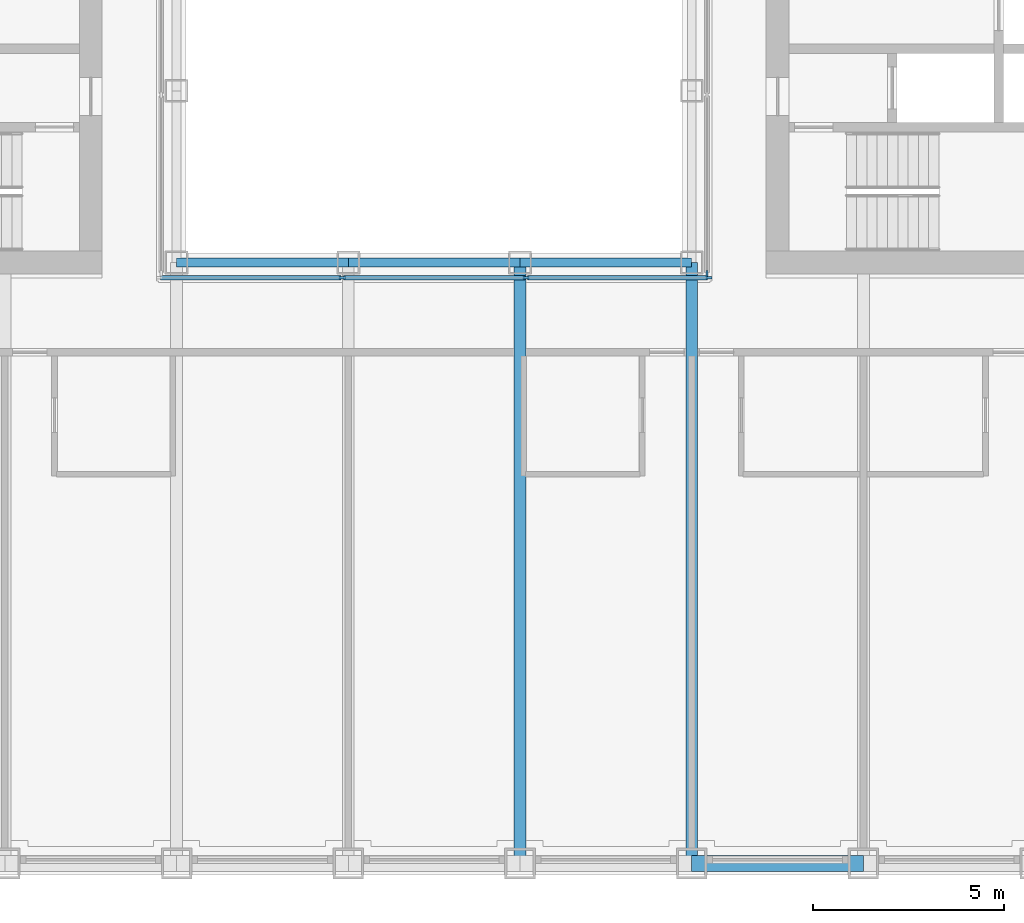
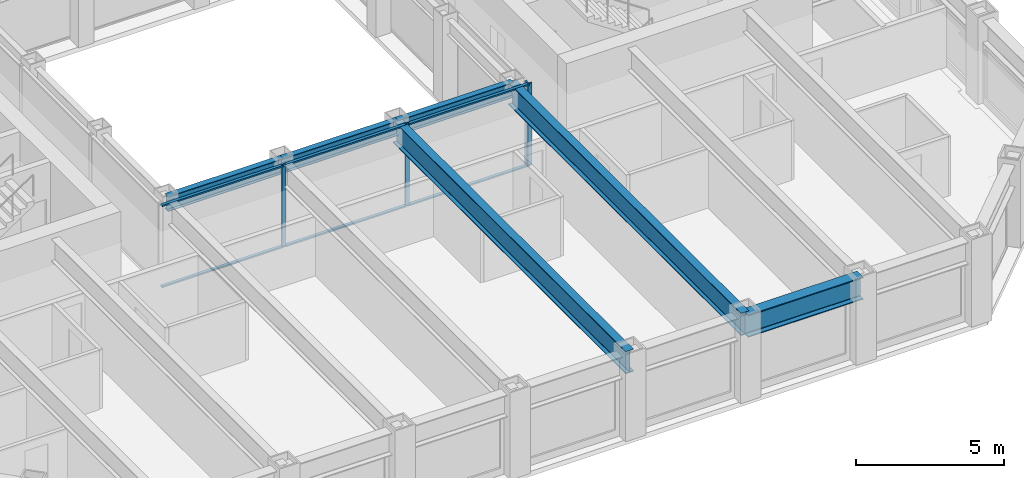
# One storey, part 3 of 17: 10 members, 6 beams, 2 elements without a shape of their own.
"""IFC4 building model written with IfcOpenShell, lengths in metres."""

from ifc_helpers import new_model, si_unit, direction, frame, origin, origin_2d, place, context, subcontext, project, spatial, rectangle, i_section, extrude, material, material_profile, profile_set, type_object, element, aggregate, save


model = new_model("IFC4")

# Units and contexts
model_context = context("Model", 3, precision=1e-05, world=origin(), true_north=direction((0.0, 1.0)))
body_context = subcontext(model_context, "Body", "Model", "MODEL_VIEW")
ifc_project = project(units=[si_unit("LENGTHUNIT", "METRE"), si_unit("AREAUNIT", "SQUARE_METRE"), si_unit("VOLUMEUNIT", "CUBIC_METRE"), si_unit("PLANEANGLEUNIT", "RADIAN"), si_unit("MASSUNIT", "GRAM", prefix="KILO")], contexts=[model_context])

# Site, building, storey
site_placement = place(None, origin())
site = spatial("IfcSite", under=ifc_project, at=site_placement, CompositionType="ELEMENT")
building_placement = place(site_placement, origin())
building = spatial("IfcBuilding", under=site, at=building_placement, Name="Msasa Ring Tower", CompositionType="ELEMENT")
storey_placement = place(building_placement, frame((0.0, 0.0, 129.199951171875)))
storey = spatial("IfcBuildingStorey", under=building, at=storey_placement, Name="L33", CompositionType="ELEMENT", Elevation=129.199951171875)

# Curtain wall, members
ifc_material_1 = material(Name="Aluminium curtain wall with clear glass", Category="aluminium")
curtain_wall_type = type_object("IfcCurtainWallType", Name="CW-W LIGHT WELL CURTAIN WALL", PredefinedType="NOTDEFINED", material=ifc_material_1)
curtain_wall_1_placement = place(storey_placement, origin())
curtain_wall_1 = element("IfcCurtainWall", 1, at=curtain_wall_1_placement, inside=storey, type_object=curtain_wall_type, Name="Light well curtain wall S L33", PredefinedType="NOTDEFINED")
ifc_material_2 = material(Name="Aluminium mullion", Category="aluminium")
ifc_material_profile_1 = material_profile(ifc_material_2, rectangle(XDim=0.06005859375, YDim=0.159912109375, at=origin_2d()), Name="AL 60x160")
ifc_profile_set_1 = profile_set([ifc_material_profile_1], Name="Aluminium mullion")
member_type_1 = type_object("IfcMemberType", Name="CW-W MULLION 60x160", PredefinedType="MULLION", material=ifc_profile_set_1)
member_1_placement = place(storey_placement, frame((-2.409912109375, -7.14990234375, 0.0), z_axis=(0.0, 0.0, 1.0), x_axis=(0.0, 1.0, 0.0)))
member_1 = element("IfcMember", 2, at=member_1_placement, type_object=member_type_1, Name="CW-W mullion 2", PredefinedType="MULLION", context=body_context, shape_type="SweptSolid", body=[
    extrude(rectangle(XDim=0.06005859375, YDim=0.159912109375, at=origin_2d()), origin(), (0.0, 0.0, 1.0), 3.400146484375),
])
member_2_placement = place(storey_placement, frame((2.409912109375, -7.14990234375, 0.0), z_axis=(0.0, 0.0, 1.0), x_axis=(0.0, 1.0, 0.0)))
member_2 = element("IfcMember", 3, at=member_2_placement, type_object=member_type_1, Name="CW-W mullion 3", PredefinedType="MULLION", context=body_context, shape_type="SweptSolid", body=[
    extrude(rectangle(XDim=0.06005859375, YDim=0.159912109375, at=origin_2d()), origin(), (0.0, 0.0, 1.0), 3.400146484375),
])
member_3_placement = place(storey_placement, frame((7.199951171875, -7.14990234375, 0.0), z_axis=(0.0, 0.0, 1.0), x_axis=(0.0, 1.0, 0.0)))
member_3 = element("IfcMember", 4, at=member_3_placement, type_object=member_type_1, Name="CW-W mullion 4", PredefinedType="MULLION", context=body_context, shape_type="SweptSolid", body=[
    extrude(rectangle(XDim=0.06005859375, YDim=0.159912109375, at=origin_2d()), origin(), (0.0, 0.0, 1.0), 3.400146484375),
])

# Curtain wall, member
curtain_wall_2_placement = place(storey_placement, origin())
curtain_wall_2 = element("IfcCurtainWall", 5, at=curtain_wall_2_placement, inside=storey, type_object=curtain_wall_type, Name="Light well curtain wall E L33", PredefinedType="NOTDEFINED")
member_4_placement = place(storey_placement, frame((7.14990234375, -7.0400390625, 0.0), z_axis=(0.0, 0.0, 1.0), x_axis=(-1.0, 0.0, 0.0)))
member_4 = element("IfcMember", 6, at=member_4_placement, type_object=member_type_1, Name="CW-W mullion 1", PredefinedType="MULLION", context=body_context, shape_type="SweptSolid", body=[
    extrude(rectangle(XDim=0.06005859375, YDim=0.159912109375, at=origin_2d()), origin(), (0.0, 0.0, 1.0), 3.400146484375),
])
aggregate(curtain_wall_2, [member_4])

# Member
ifc_material_3 = material(Name="Aluminium transom", Category="aluminium")
ifc_material_profile_2 = material_profile(ifc_material_3, rectangle(XDim=0.1201171875, YDim=0.06005859375, at=origin_2d()), Name="AL 60x120")
ifc_profile_set_2 = profile_set([ifc_material_profile_2], Name="Aluminium transom")
member_type_2 = type_object("IfcMemberType", Name="CW-W TRANSOM 60x120", PredefinedType="USERDEFINED", material=ifc_profile_set_2)
member_5_placement = place(storey_placement, frame((-7.169921875, -7.14990234375, 0.030029296875), z_axis=(1.0, 0.0, 0.0), x_axis=(0.0, 1.0, 0.0)))
member_5 = element("IfcMember", 7, at=member_5_placement, type_object=member_type_2, Name="CW-W transom 1.1", ObjectType="TRANSOM", PredefinedType="USERDEFINED", context=body_context, shape_type="SweptSolid", body=[
    extrude(rectangle(XDim=0.1201171875, YDim=0.06005859375, at=origin_2d()), origin(), (0.0, 0.0, 1.0), 4.72998046875),
])

member_6_placement = place(storey_placement, frame((-7.169921875, -7.14990234375, 3.3701171875), z_axis=(1.0, 0.0, 0.0), x_axis=(0.0, 1.0, 0.0)))
member_6 = element("IfcMember", 8, at=member_6_placement, type_object=member_type_2, Name="CW-W transom 1.2", ObjectType="TRANSOM", PredefinedType="USERDEFINED", context=body_context, shape_type="SweptSolid", body=[
    extrude(rectangle(XDim=0.1201171875, YDim=0.06005859375, at=origin_2d()), origin(), (0.0, 0.0, 1.0), 4.72998046875),
])

member_7_placement = place(storey_placement, frame((-2.3798828125, -7.14990234375, 0.030029296875), z_axis=(1.0, 0.0, 0.0), x_axis=(0.0, 1.0, 0.0)))
member_7 = element("IfcMember", 9, at=member_7_placement, type_object=member_type_2, Name="CW-W transom 2.1", ObjectType="TRANSOM", PredefinedType="USERDEFINED", context=body_context, shape_type="SweptSolid", body=[
    extrude(rectangle(XDim=0.1201171875, YDim=0.06005859375, at=origin_2d()), origin(), (0.0, 0.0, 1.0), 4.759765625),
])

member_8_placement = place(storey_placement, frame((-2.3798828125, -7.14990234375, 3.3701171875), z_axis=(1.0, 0.0, 0.0), x_axis=(0.0, 1.0, 0.0)))
member_8 = element("IfcMember", 10, at=member_8_placement, type_object=member_type_2, Name="CW-W transom 2.2", ObjectType="TRANSOM", PredefinedType="USERDEFINED", context=body_context, shape_type="SweptSolid", body=[
    extrude(rectangle(XDim=0.1201171875, YDim=0.06005859375, at=origin_2d()), origin(), (0.0, 0.0, 1.0), 4.759765625),
])

member_9_placement = place(storey_placement, frame((2.43994140625, -7.14990234375, 0.030029296875), z_axis=(1.0, 0.0, 0.0), x_axis=(0.0, 1.0, 0.0)))
member_9 = element("IfcMember", 11, at=member_9_placement, type_object=member_type_2, Name="CW-W transom 3.1", ObjectType="TRANSOM", PredefinedType="USERDEFINED", context=body_context, shape_type="SweptSolid", body=[
    extrude(rectangle(XDim=0.1201171875, YDim=0.06005859375, at=origin_2d()), origin(), (0.0, 0.0, 1.0), 4.72998046875),
])

member_10_placement = place(storey_placement, frame((2.43994140625, -7.14990234375, 3.3701171875), z_axis=(1.0, 0.0, 0.0), x_axis=(0.0, 1.0, 0.0)))
member_10 = element("IfcMember", 12, at=member_10_placement, type_object=member_type_2, Name="CW-W transom 3.2", ObjectType="TRANSOM", PredefinedType="USERDEFINED", context=body_context, shape_type="SweptSolid", body=[
    extrude(rectangle(XDim=0.1201171875, YDim=0.06005859375, at=origin_2d()), origin(), (0.0, 0.0, 1.0), 4.72998046875),
])

aggregate(curtain_wall_1, [member_1, member_2, member_3, member_5, member_6, member_7, member_8, member_9, member_10])

# Beams
ifc_material_4 = material(Name="Steel S355", Category="steel")
ifc_material_profile_3 = material_profile(ifc_material_4, i_section(OverallWidth=0.3076171875, OverallDepth=0.926513671875, WebThickness=0.01953125, FlangeThickness=0.031982421875, FilletRadius=0.01904296875, at=origin_2d()), Name="UB 914x305x289")
ifc_profile_set_3 = profile_set([ifc_material_profile_3], Name="Steel S355")
beam_type_1 = type_object("IfcBeamType", Name="FB3 UB 914x305x289", PredefinedType="BEAM", material=ifc_profile_set_3)
for number, where, z_axis, x_axis, name in (
    (13, (2.25, -22.5, 2.936767578125), (0.0, 1.0, 0.0), (-1.0, 0.0, 0.0), "Floor beam S+2.25 under L34"),
    (14, (6.75, -22.5, 2.936767578125), (0.0, 1.0, 0.0), (-1.0, 0.0, 0.0), "Floor beam S+6.75 under L34"),
):
    element("IfcBeam", number, at=place(storey_placement, frame(where, z_axis=z_axis, x_axis=x_axis)), inside=storey, type_object=beam_type_1, Name=name, PredefinedType="BEAM", context=body_context, shape_type="SweptSolid", body=[
        extrude(i_section(OverallWidth=0.3076171875, OverallDepth=0.926513671875, WebThickness=0.01953125, FlangeThickness=0.031982421875, FilletRadius=0.01904296875, at=origin_2d()), origin(), (0.0, 0.0, 1.0), 15.75),
    ])
ifc_material_5 = material(Name="Steel S355", Category="steel")
ifc_material_profile_4 = material_profile(ifc_material_5, i_section(OverallWidth=0.230224609375, OverallDepth=0.6171875, WebThickness=0.01318359375, FlangeThickness=0.022216796875, FilletRadius=0.0126953125, at=origin_2d()), Name="UB 610x229x140")
ifc_profile_set_4 = profile_set([ifc_material_profile_4], Name="Steel S355")
beam_type_2 = type_object("IfcBeamType", Name="RB1 UB 610x229x140", PredefinedType="BEAM", material=ifc_profile_set_4)
for number, where, z_axis, x_axis, name in (
    (15, (-6.75, -6.75, 3.091552734375), (1.0, 0.0, 0.0), (0.0, 1.0, 0.0), "Inner ring beam IR-6.75-6.75 under L34"),
    (16, (-2.25, -6.75, 3.091552734375), (1.0, 0.0, 0.0), (0.0, 1.0, 0.0), "Inner ring beam IR-2.25-6.75 under L34"),
    (17, (2.25, -6.75, 3.091552734375), (1.0, 0.0, 0.0), (0.0, 1.0, 0.0), "Inner ring beam IR+2.25-6.75 under L34"),
):
    element("IfcBeam", number, at=place(storey_placement, frame(where, z_axis=z_axis, x_axis=x_axis)), inside=storey, type_object=beam_type_2, Name=name, PredefinedType="BEAM", context=body_context, shape_type="SweptSolid", body=[
        extrude(i_section(OverallWidth=0.230224609375, OverallDepth=0.6171875, WebThickness=0.01318359375, FlangeThickness=0.022216796875, FilletRadius=0.0126953125, at=origin_2d()), origin(), (0.0, 0.0, 1.0), 4.5),
    ])
ifc_material_6 = material(Name="Steel S355", Category="steel")
ifc_material_profile_5 = material_profile(ifc_material_6, i_section(OverallWidth=0.42041015625, OverallDepth=0.9208984375, WebThickness=0.021484375, FlangeThickness=0.03662109375, FilletRadius=0.024169921875, at=origin_2d()), Name="UB 914x419x388")
ifc_profile_set_5 = profile_set([ifc_material_profile_5], Name="Steel S355")
beam_type_3 = type_object("IfcBeamType", Name="SB1 UB 914x419x388", PredefinedType="SPANDREL", material=ifc_profile_set_5)
beam_placement = place(storey_placement, frame((6.75, -22.5, 2.939453125), z_axis=(1.0, 0.0, 0.0), x_axis=(0.0, 1.0, 0.0)))
element("IfcBeam", 18, at=beam_placement, inside=storey, type_object=beam_type_3, Name="Spandrel S+6.75 to S+11.25 under L34", PredefinedType="SPANDREL", context=body_context, shape_type="SweptSolid", body=[
    extrude(i_section(OverallWidth=0.42041015625, OverallDepth=0.9208984375, WebThickness=0.021484375, FlangeThickness=0.03662109375, FilletRadius=0.024169921875, at=origin_2d()), origin(), (0.0, 0.0, 1.0), 4.5),
])

save(model, "model.ifc")
